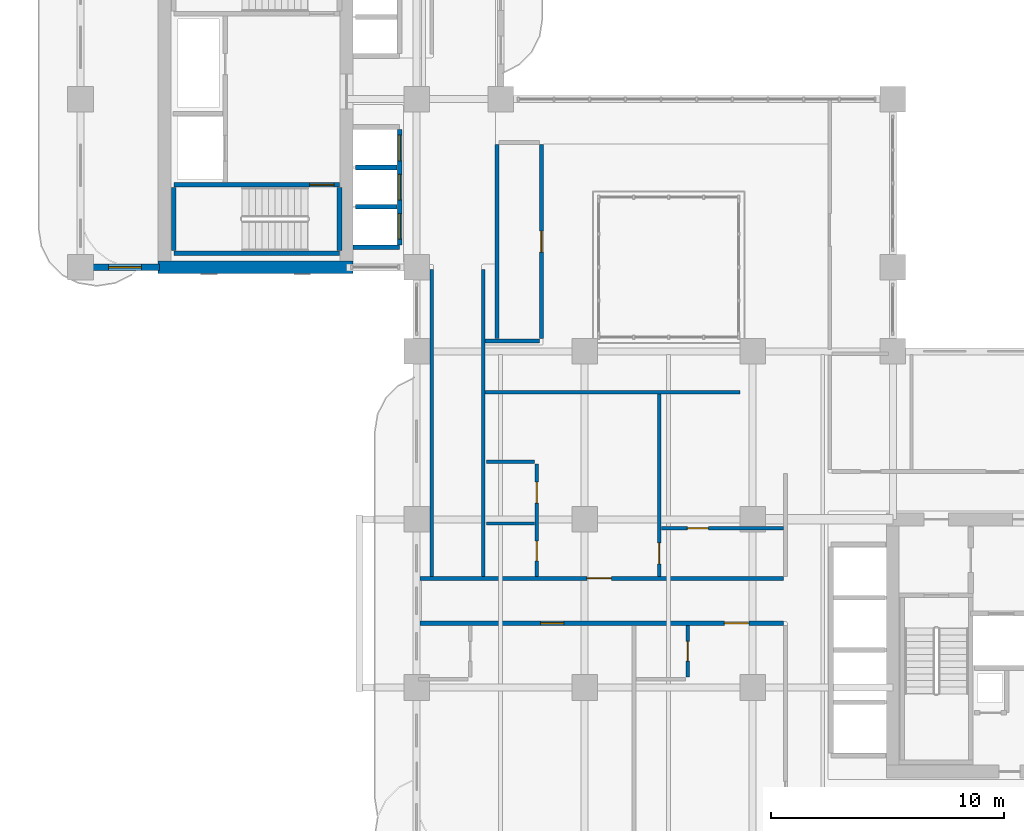
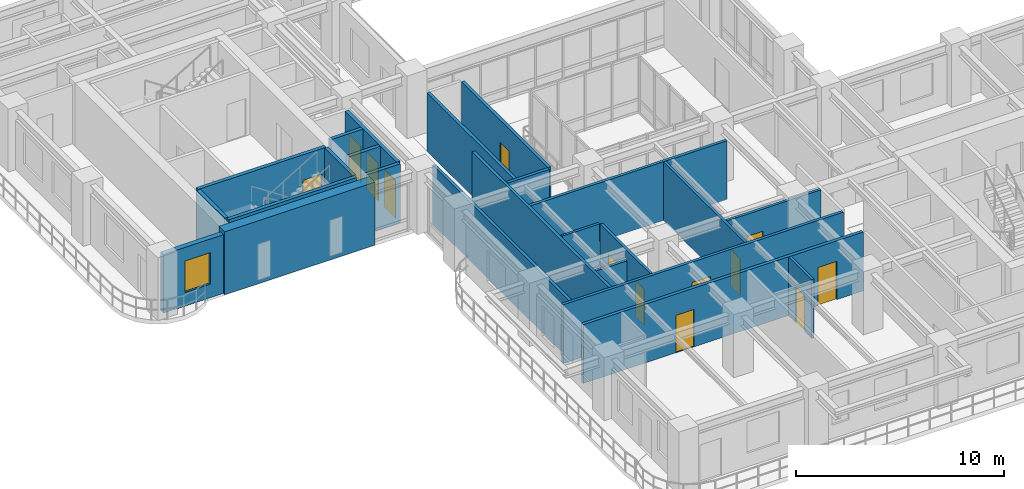
# One storey, part 12 of 22: 24 walls, 13 doors, 1 window, 14 openings.
"""IFC4 building model written with IfcOpenShell, lengths in metres."""

from ifc_helpers import new_model, si_unit, derived_unit, direction, frame, frame_2d, origin, place, context, subcontext, project, spatial, rectangle, extrude, source, transform, mapped, material, layer, layer_set, type_object, type_shapes, element, fill, save


model = new_model("IFC4")

# Units and contexts
model_context = context("Model", 3, precision=1e-05, world=origin(), true_north=direction((0.0, 1.0)))
body_context = subcontext(model_context, "Body", "Model", "MODEL_VIEW")
ifc_project = project(units=[si_unit("LENGTHUNIT", "METRE"), si_unit("AREAUNIT", "SQUARE_METRE"), si_unit("VOLUMEUNIT", "CUBIC_METRE"), si_unit("PLANEANGLEUNIT", "RADIAN"), si_unit("MASSUNIT", "GRAM", prefix="KILO"), si_unit("THERMODYNAMICTEMPERATUREUNIT", "KELVIN"), si_unit("POWERUNIT", "WATT"), derived_unit("THERMALTRANSMITTANCEUNIT", [(si_unit("POWERUNIT", "WATT"), 1), (si_unit("AREAUNIT", "SQUARE_METRE"), -1), (si_unit("THERMODYNAMICTEMPERATUREUNIT", "KELVIN"), -1)])], contexts=[model_context])

# Site, building, storey
site_placement = place(None, origin())
site = spatial("IfcSite", under=ifc_project, at=site_placement, CompositionType="ELEMENT")
building_placement = place(site_placement, origin())
building = spatial("IfcBuilding", under=site, at=building_placement, Name="Zahravan Archway Hotel and Residences", CompositionType="ELEMENT")
storey_placement = place(building_placement, frame((0.0, 0.0, 87.89990234375)))
storey = spatial("IfcBuildingStorey", under=building, at=storey_placement, Name="L21", CompositionType="ELEMENT", Elevation=87.89990234375)

# Wall
ifc_material_1 = material(Name="Concrete C70/85", Category="concrete")
ifc_layer_1 = layer(ifc_material_1, 0.550048828125, Name="Concrete C70/85", Category="concrete")
ifc_layer_set_1 = layer_set([ifc_layer_1], Name="Concrete C70/85")
wall_type_1 = type_object("IfcWallType", Name="CW-CORE-550", PredefinedType="SHEAR", material=ifc_layer_set_1)
wall_1_placement = place(storey_placement, frame((3.324951171875, 25.199951171875, 0.0), z_axis=(0.0, 0.0, 1.0), x_axis=(1.0, 0.0, 0.0)))
element("IfcWall", 1, at=wall_1_placement, inside=storey, type_object=wall_type_1, Name="L21 Core B Shear S Wall 550 mm", PredefinedType="SHEAR", context=body_context, shape_type="SweptSolid", body=[
    extrude(rectangle(XDim=8.35009765625, YDim=0.550048828125, at=frame_2d((4.175048828125, 0.0))), origin(), (0.0, 0.0, 1.0), 3.7001953125),
])

# Wall, opening, window
ifc_material_2 = material(Name="Honed Red-Ochre Sandstone & Insulated Block", Category="masonry")
ifc_layer_2 = layer(ifc_material_2, 0.280029296875, Name="Honed Red-Ochre Sandstone & Insulated Block", Category="masonry")
ifc_layer_set_2 = layer_set([ifc_layer_2], Name="Honed Red-Ochre Sandstone & Insulated Block")
wall_type_2 = type_object("IfcWallType", Name="EW-LOG-280", PredefinedType="SOLIDWALL", material=ifc_layer_set_2)
wall_2_placement = place(storey_placement, frame((0.0, 25.199951171875, 0.0), z_axis=(0.0, 0.0, 1.0), x_axis=(1.0, 0.0, 0.0)))
wall_2 = element("IfcWall", 2, at=wall_2_placement, inside=storey, type_object=wall_type_2, Name="L21 Exterior Sandstone Wall WB-SW", PredefinedType="SOLIDWALL", context=body_context, shape_type="SweptSolid", body=[
    extrude(rectangle(XDim=3.3798828125, YDim=0.280029296875, at=frame_2d((1.68994140625, 0.0))), origin(), (0.0, 0.0, 1.0), 3.4501953125),
])
opening_1_placement = place(wall_2_placement, frame((1.205078125, 0.0, 0.800048828125)))
opening_1 = element("IfcOpeningElement", 3, at=opening_1_placement, cuts=wall_2, Name="Opening W-03", PredefinedType="OPENING", context=body_context, shape_type="SweptSolid", body=[
    extrude(rectangle(XDim=1.39990234375, YDim=1.85009765625, at=frame_2d((0.699951171875, 0.925048828125))), frame((0.0, 0.14990234375, 0.0), z_axis=(0.0, -1.0, 0.0), x_axis=(1.0, 0.0, 0.0)), (0.0, 0.0, 1.0), 0.300048828125),
])
ifc_material_3 = material(Name="Bronze-Anodized Thermal-Break Aluminium & Low-E Glass", Category="aluminium")
window_type = type_object("IfcWindowType", Name="WIN-TWR-1400", PartitioningType="SINGLE_PANEL", PredefinedType="WINDOW", material=ifc_material_3)
shared_shape_1 = source(origin(), body_context, "Body", "SweptSolid", [
    extrude(rectangle(XDim=1.39990234375, YDim=1.85009765625, at=frame_2d((0.699951171875, 0.925048828125))), frame((0.0, 0.030029296875, 0.0), z_axis=(0.0, -1.0, 0.0), x_axis=(1.0, 0.0, 0.0)), (0.0, 0.0, 1.0), 0.06005859375),
])
type_shapes(window_type, [shared_shape_1])
window_placement = place(opening_1_placement, origin())
window = element("IfcWindow", 4, at=window_placement, inside=storey, type_object=window_type, Name="L21 Loggia Window 28", OverallHeight=1.85009765625, OverallWidth=1.39990234375, PartitioningType="SINGLE_PANEL", PredefinedType="WINDOW", context=body_context, shape_type="MappedRepresentation", body=[
    mapped(shared_shape_1, transform((0.0, 0.0, 0.0), scale=1.0)),
])
fill(opening_1, window)

# Wall, opening, door
ifc_material_4 = material(Name="Fire-Rated Gypsum & Concrete Block", Category="concrete")
ifc_layer_3 = layer(ifc_material_4, 0.159912109375, Name="Fire-Rated Gypsum & Concrete Block", Category="concrete")
ifc_layer_set_3 = layer_set([ifc_layer_3], Name="Fire-Rated Gypsum & Concrete Block")
wall_type_3 = type_object("IfcWallType", Name="PW-CORR-160", PredefinedType="PARTITIONING", material=ifc_layer_set_3)
wall_3_placement = place(storey_placement, frame((14.548095703125, 11.8701171875, 0.0), z_axis=(0.0, 0.0, 1.0), x_axis=(1.0, 0.0, 0.0)))
wall_3 = element("IfcWall", 5, at=wall_3_placement, inside=storey, type_object=wall_type_3, Name="L21 Partition WA-CN", PredefinedType="PARTITIONING", context=body_context, shape_type="SweptSolid", body=[
    extrude(rectangle(XDim=15.56201171875, YDim=0.159912109375, at=frame_2d((7.781005859375, 0.0))), origin(), (0.0, 0.0, 1.0), 3.4501953125),
])
opening_2_placement = place(wall_3_placement, frame((7.14208984375, 0.0, 0.0)))
opening_2 = element("IfcOpeningElement", 6, at=opening_2_placement, cuts=wall_3, Name="Opening D-U1", PredefinedType="OPENING", context=body_context, shape_type="SweptSolid", body=[
    extrude(rectangle(XDim=1.050048828125, YDim=2.25, at=frame_2d((0.52490234375, 1.125))), frame((0.0, 0.08984375, 0.0), z_axis=(0.0, -1.0, 0.0), x_axis=(1.0, 0.0, 0.0)), (0.0, 0.0, 1.0), 0.179931640625),
])
ifc_material_5 = material(Name="Hardwood Veneer Timber", Category="wood")
door_type_1 = type_object("IfcDoorType", Name="ID-UNIT-1050", OperationType="NOTDEFINED", PredefinedType="DOOR", material=ifc_material_5)
shared_shape_2 = source(origin(), body_context, "Body", "SweptSolid", [
    extrude(rectangle(XDim=1.050048828125, YDim=2.25, at=frame_2d((0.52490234375, 1.125))), frame((0.0, 0.02490234375, 0.0), z_axis=(0.0, -1.0, 0.0), x_axis=(1.0, 0.0, 0.0)), (0.0, 0.0, 1.0), 0.050048828125),
])
type_shapes(door_type_1, [shared_shape_2])
door_1_placement = place(opening_2_placement, origin())
door_1 = element("IfcDoor", 7, at=door_1_placement, inside=storey, type_object=door_type_1, Name="L21 Flat AT1 Entrance Door", OperationType="SINGLE_SWING_LEFT", OverallHeight=2.25, OverallWidth=1.050048828125, PredefinedType="DOOR", context=body_context, shape_type="MappedRepresentation", body=[
    mapped(shared_shape_2, transform((0.0, 0.0, 0.0), scale=1.0)),
])
fill(opening_2, door_1)

# Walls
for number, where, z_axis, x_axis, name in (
    (8, (15.050048828125, 11.9599609375, 0.0), (0.0, 0.0, 1.0), (0.0, 1.0, 0.0), "L21 Partition LNK-W"),
    (9, (17.25, 11.9599609375, 0.0), (0.0, 0.0, 1.0), (0.0, 1.0, 0.0), "L21 Partition LNK-E"),
):
    element("IfcWall", number, at=place(storey_placement, frame(where, z_axis=z_axis, x_axis=x_axis)), inside=storey, type_object=wall_type_3, Name=name, PredefinedType="PARTITIONING", context=body_context, shape_type="SweptSolid", body=[
        extrude(rectangle(XDim=13.150146484375, YDim=0.159912109375, at=frame_2d((6.5751953125, 0.0))), origin(), (0.0, 0.0, 1.0), 3.4501953125),
    ])
wall_4_placement = place(storey_placement, frame((17.340087890625, 19.85009765625, 0.0), z_axis=(0.0, 0.0, 1.0), x_axis=(1.0, 0.0, 0.0)))
element("IfcWall", 10, at=wall_4_placement, inside=storey, type_object=wall_type_3, Name="L21 Partition ATR-S", PredefinedType="PARTITIONING", context=body_context, shape_type="SweptSolid", body=[
    extrude(rectangle(XDim=10.919921875, YDim=0.159912109375, at=frame_2d((5.4599609375, 0.0))), origin(), (0.0, 0.0, 1.0), 3.4501953125),
])

# Wall, openings, doors
ifc_layer_4 = layer(ifc_material_4, 0.179931640625, Name="Fire-Rated Gypsum & Concrete Block", Category="concrete")
ifc_layer_set_4 = layer_set([ifc_layer_4], Name="Fire-Rated Gypsum & Concrete Block")
wall_type_4 = type_object("IfcWallType", Name="PW-CORR-180", PredefinedType="PARTITIONING", material=ifc_layer_set_4)
wall_5_placement = place(storey_placement, frame((14.548095703125, 9.949951171875, 0.0), z_axis=(0.0, 0.0, 1.0), x_axis=(1.0, 0.0, 0.0)))
wall_5 = element("IfcWall", 11, at=wall_5_placement, inside=storey, type_object=wall_type_4, Name="L21 Partition WA-CS", PredefinedType="PARTITIONING", context=body_context, shape_type="SweptSolid", body=[
    extrude(rectangle(XDim=15.56201171875, YDim=0.179931640625, at=frame_2d((7.781005859375, 0.0))), origin(), (0.0, 0.0, 1.0), 3.4501953125),
])
opening_3_placement = place(wall_5_placement, frame((5.162109375, 0.0, 0.0)))
opening_3 = element("IfcOpeningElement", 12, at=opening_3_placement, cuts=wall_5, Name="Opening D-U2", PredefinedType="OPENING", context=body_context, shape_type="SweptSolid", body=[
    extrude(rectangle(XDim=1.0, YDim=2.199951171875, at=frame_2d((0.5, 1.10009765625))), frame((0.0, 0.10009765625, 0.0), z_axis=(0.0, -1.0, 0.0), x_axis=(1.0, 0.0, 0.0)), (0.0, 0.0, 1.0), 0.199951171875),
])
opening_4_placement = place(wall_5_placement, frame((13.037109375, 0.0, 0.0)))
opening_4 = element("IfcOpeningElement", 13, at=opening_4_placement, cuts=wall_5, Name="Opening D-U1", PredefinedType="OPENING", context=body_context, shape_type="SweptSolid", body=[
    extrude(rectangle(XDim=1.050048828125, YDim=2.25, at=frame_2d((0.52490234375, 1.125))), frame((0.0, 0.10009765625, 0.0), z_axis=(0.0, -1.0, 0.0), x_axis=(1.0, 0.0, 0.0)), (0.0, 0.0, 1.0), 0.199951171875),
])
door_2_placement = place(opening_4_placement, origin())
door_2 = element("IfcDoor", 14, at=door_2_placement, inside=storey, type_object=door_type_1, Name="L21 Hotel Guestroom 12 Entrance Door", OperationType="SINGLE_SWING_RIGHT", OverallHeight=2.25, OverallWidth=1.050048828125, PredefinedType="DOOR", context=body_context, shape_type="MappedRepresentation", body=[
    mapped(shared_shape_2, transform((0.0, 0.0, 0.0), scale=1.0)),
])
fill(opening_4, door_2)
door_type_2 = type_object("IfcDoorType", Name="ID-UNIT-1000", OperationType="NOTDEFINED", PredefinedType="DOOR", material=ifc_material_5)
shared_shape_3 = source(origin(), body_context, "Body", "SweptSolid", [
    extrude(rectangle(XDim=1.0, YDim=2.199951171875, at=frame_2d((0.5, 1.10009765625))), frame((0.0, 0.02490234375, 0.0), z_axis=(0.0, -1.0, 0.0), x_axis=(1.0, 0.0, 0.0)), (0.0, 0.0, 1.0), 0.050048828125),
])
type_shapes(door_type_2, [shared_shape_3])
door_3_placement = place(opening_3_placement, origin())
door_3 = element("IfcDoor", 15, at=door_3_placement, inside=storey, type_object=door_type_2, Name="L21 Hotel Guestroom 11 Entrance Door", OperationType="SINGLE_SWING_RIGHT", OverallHeight=2.199951171875, OverallWidth=1.0, PredefinedType="DOOR", context=body_context, shape_type="MappedRepresentation", body=[
    mapped(shared_shape_3, transform((0.0, 0.0, 0.0), scale=1.0)),
])
fill(opening_3, door_3)

# Wall
ifc_layer_5 = layer(ifc_material_4, 0.199951171875, Name="Fire-Rated Gypsum & Concrete Block", Category="concrete")
ifc_layer_set_5 = layer_set([ifc_layer_5], Name="Fire-Rated Gypsum & Concrete Block")
wall_type_5 = type_object("IfcWallType", Name="PW-SHAFT-200", PredefinedType="PARTITIONING", material=ifc_layer_set_5)
wall_6_placement = place(storey_placement, frame((11.68505859375, 26.050048828125, 0.0), z_axis=(0.0, 0.0, 1.0), x_axis=(1.0, 0.0, 0.0)))
element("IfcWall", 16, at=wall_6_placement, inside=storey, type_object=wall_type_5, Name="L21 Partition B1-S", PredefinedType="PARTITIONING", context=body_context, shape_type="SweptSolid", body=[
    extrude(rectangle(XDim=1.98486328125, YDim=0.199951171875, at=frame_2d((0.992431640625, 0.0))), origin(), (0.0, 0.0, 1.0), 3.4501953125),
])

# Wall, openings, doors
wall_7_placement = place(storey_placement, frame((13.679931640625, 26.159912109375, 0.0), z_axis=(0.0, 0.0, 1.0), x_axis=(0.0, 1.0, 0.0)))
wall_7 = element("IfcWall", 17, at=wall_7_placement, inside=storey, type_object=wall_type_5, Name="L21 Partition B1-E", PredefinedType="PARTITIONING", context=body_context, shape_type="SweptSolid", body=[
    extrude(rectangle(XDim=4.940185546875, YDim=0.199951171875, at=frame_2d((2.47021484375, 0.0))), origin(), (0.0, 0.0, 1.0), 3.4501953125),
])
opening_5_placement = place(wall_7_placement, frame((0.239990234375, 0.0, 0.0)))
opening_5 = element("IfcOpeningElement", 18, at=opening_5_placement, cuts=wall_7, Name="Opening LD", PredefinedType="OPENING", context=body_context, shape_type="SweptSolid", body=[
    extrude(rectangle(XDim=1.10009765625, YDim=2.199951171875, at=frame_2d((0.550048828125, 1.10009765625))), frame((0.0, 0.10986328125, 0.0), z_axis=(0.0, -1.0, 0.0), x_axis=(1.0, 0.0, 0.0)), (0.0, 0.0, 1.0), 0.219970703125),
])
opening_6_placement = place(wall_7_placement, frame((1.919921875, 0.0, 0.0)))
opening_6 = element("IfcOpeningElement", 19, at=opening_6_placement, cuts=wall_7, Name="Opening LD", PredefinedType="OPENING", context=body_context, shape_type="SweptSolid", body=[
    extrude(rectangle(XDim=1.10009765625, YDim=2.199951171875, at=frame_2d((0.550048828125, 1.10009765625))), frame((0.0, 0.10986328125, 0.0), z_axis=(0.0, -1.0, 0.0), x_axis=(1.0, 0.0, 0.0)), (0.0, 0.0, 1.0), 0.219970703125),
])
opening_7_placement = place(wall_7_placement, frame((3.60009765625, 0.0, 0.0)))
opening_7 = element("IfcOpeningElement", 20, at=opening_7_placement, cuts=wall_7, Name="Opening LD", PredefinedType="OPENING", context=body_context, shape_type="SweptSolid", body=[
    extrude(rectangle(XDim=1.10009765625, YDim=2.199951171875, at=frame_2d((0.550048828125, 1.10009765625))), frame((0.0, 0.10986328125, 0.0), z_axis=(0.0, -1.0, 0.0), x_axis=(1.0, 0.0, 0.0)), (0.0, 0.0, 1.0), 0.219970703125),
])
ifc_material_6 = material(Name="Brushed Stainless Steel", Category="steel")
door_type_3 = type_object("IfcDoorType", Name="DR-LIFT-LD", OperationType="SLIDING_TO_LEFT", PredefinedType="DOOR", material=ifc_material_6)
shared_shape_4 = source(origin(), body_context, "Body", "SweptSolid", [
    extrude(rectangle(XDim=1.10009765625, YDim=2.199951171875, at=frame_2d((0.550048828125, 1.10009765625))), frame((0.0, 0.02490234375, 0.0), z_axis=(0.0, -1.0, 0.0), x_axis=(1.0, 0.0, 0.0)), (0.0, 0.0, 1.0), 0.050048828125),
])
type_shapes(door_type_3, [shared_shape_4])
door_4_placement = place(opening_5_placement, origin())
door_4 = element("IfcDoor", 21, at=door_4_placement, inside=storey, type_object=door_type_3, Name="L21 Lift LP-1 Sliding Landing Door", OperationType="SLIDING_TO_LEFT", OverallHeight=2.199951171875, OverallWidth=1.10009765625, PredefinedType="DOOR", context=body_context, shape_type="MappedRepresentation", body=[
    mapped(shared_shape_4, transform((0.0, 0.0, 0.0), scale=1.0)),
])
fill(opening_5, door_4)
door_5_placement = place(opening_6_placement, origin())
door_5 = element("IfcDoor", 22, at=door_5_placement, inside=storey, type_object=door_type_3, Name="L21 Lift LP-2 Sliding Landing Door", OperationType="SLIDING_TO_LEFT", OverallHeight=2.199951171875, OverallWidth=1.10009765625, PredefinedType="DOOR", context=body_context, shape_type="MappedRepresentation", body=[
    mapped(shared_shape_4, transform((0.0, 0.0, 0.0), scale=1.0)),
])
fill(opening_6, door_5)
door_6_placement = place(opening_7_placement, origin())
door_6 = element("IfcDoor", 23, at=door_6_placement, inside=storey, type_object=door_type_3, Name="L21 Lift LP-3 Sliding Landing Door", OperationType="SLIDING_TO_LEFT", OverallHeight=2.199951171875, OverallWidth=1.10009765625, PredefinedType="DOOR", context=body_context, shape_type="MappedRepresentation", body=[
    mapped(shared_shape_4, transform((0.0, 0.0, 0.0), scale=1.0)),
])
fill(opening_7, door_6)

# Walls
for number, where, z_axis, x_axis, name in (
    (24, (11.784912109375, 27.7900390625, 0.0), (0.0, 0.0, 1.0), (1.0, 0.0, 0.0), "L21 Partition B1-D"),
    (25, (11.784912109375, 29.469970703125, 0.0), (0.0, 0.0, 1.0), (1.0, 0.0, 0.0), "L21 Partition B1-D"),
):
    element("IfcWall", number, at=place(storey_placement, frame(where, z_axis=z_axis, x_axis=x_axis)), inside=storey, type_object=wall_type_5, Name=name, PredefinedType="PARTITIONING", context=body_context, shape_type="SweptSolid", body=[
        extrude(rectangle(XDim=1.78515625, YDim=0.199951171875, at=frame_2d((0.892578125, 0.0))), origin(), (0.0, 0.0, 1.0), 3.4501953125),
    ])

# Wall, opening, door
ifc_material_7 = material(Name="Acoustic Stud Partition")
ifc_layer_6 = layer(ifc_material_7, 0.14990234375, Name="Acoustic Stud Partition")
ifc_layer_set_6 = layer_set([ifc_layer_6], Name="Acoustic Stud Partition")
wall_type_6 = type_object("IfcWallType", Name="PW-UNIT-150", PredefinedType="PARTITIONING", material=ifc_layer_set_6)
wall_8_placement = place(storey_placement, frame((24.800048828125, 11.9599609375, 0.0), z_axis=(0.0, 0.0, 1.0), x_axis=(0.0, 1.0, 0.0)))
wall_8 = element("IfcWall", 26, at=wall_8_placement, inside=storey, type_object=wall_type_6, Name="L21 Partition FL-AT1-SP", PredefinedType="PARTITIONING", context=body_context, shape_type="SweptSolid", body=[
    extrude(rectangle(XDim=7.800048828125, YDim=0.14990234375, at=frame_2d((3.89990234375, 0.0))), origin(), (0.0, 0.0, 1.0), 3.4501953125),
])
opening_8_placement = place(wall_8_placement, frame((0.534912109375, 0.0, 0.0)))
opening_8 = element("IfcOpeningElement", 27, at=opening_8_placement, cuts=wall_8, Name="Opening D-I2", PredefinedType="OPENING", context=body_context, shape_type="SweptSolid", body=[
    extrude(rectangle(XDim=0.89990234375, YDim=2.14990234375, at=frame_2d((0.449951171875, 1.074951171875))), frame((0.0, 0.0849609375, 0.0), z_axis=(0.0, -1.0, 0.0), x_axis=(1.0, 0.0, 0.0)), (0.0, 0.0, 1.0), 0.169921875),
])
door_type_4 = type_object("IfcDoorType", Name="ID-INT-900", OperationType="NOTDEFINED", PredefinedType="DOOR", material=ifc_material_5)
shared_shape_5 = source(origin(), body_context, "Body", "SweptSolid", [
    extrude(rectangle(XDim=0.89990234375, YDim=2.14990234375, at=frame_2d((0.449951171875, 1.074951171875))), frame((0.0, 0.02490234375, 0.0), z_axis=(0.0, -1.0, 0.0), x_axis=(1.0, 0.0, 0.0)), (0.0, 0.0, 1.0), 0.050048828125),
])
type_shapes(door_type_4, [shared_shape_5])
door_7_placement = place(opening_8_placement, origin())
door_7 = element("IfcDoor", 28, at=door_7_placement, inside=storey, type_object=door_type_4, Name="L21 Flat AT1 Bedroom Hall Door", OperationType="SINGLE_SWING_RIGHT", OverallHeight=2.14990234375, OverallWidth=0.89990234375, PredefinedType="DOOR", context=body_context, shape_type="MappedRepresentation", body=[
    mapped(shared_shape_5, transform((0.0, 0.0, 0.0), scale=1.0)),
])
fill(opening_8, door_7)

wall_9_placement = place(storey_placement, frame((24.889892578125, 14.02001953125, 0.0), z_axis=(0.0, 0.0, 1.0), x_axis=(1.0, 0.0, 0.0)))
wall_9 = element("IfcWall", 29, at=wall_9_placement, inside=storey, type_object=wall_type_6, Name="L21 Partition FL-AT1-GH", PredefinedType="PARTITIONING", context=body_context, shape_type="SweptSolid", body=[
    extrude(rectangle(XDim=5.22021484375, YDim=0.14990234375, at=frame_2d((2.610107421875, 0.0))), origin(), (0.0, 0.0, 1.0), 3.4501953125),
])
opening_9_placement = place(wall_9_placement, frame((1.110107421875, 0.0, 0.0)))
opening_9 = element("IfcOpeningElement", 30, at=opening_9_placement, cuts=wall_9, Name="Opening D-I2", PredefinedType="OPENING", context=body_context, shape_type="SweptSolid", body=[
    extrude(rectangle(XDim=0.89990234375, YDim=2.14990234375, at=frame_2d((0.449951171875, 1.074951171875))), frame((0.0, 0.0849609375, 0.0), z_axis=(0.0, -1.0, 0.0), x_axis=(1.0, 0.0, 0.0)), (0.0, 0.0, 1.0), 0.169921875),
])
door_8_placement = place(opening_9_placement, origin())
door_8 = element("IfcDoor", 31, at=door_8_placement, inside=storey, type_object=door_type_4, Name="L21 Flat AT1 Bedroom 1 Door", OperationType="SINGLE_SWING_LEFT", OverallHeight=2.14990234375, OverallWidth=0.89990234375, PredefinedType="DOOR", context=body_context, shape_type="MappedRepresentation", body=[
    mapped(shared_shape_5, transform((0.0, 0.0, 0.0), scale=1.0)),
])
fill(opening_9, door_8)

# Walls
ifc_layer_7 = layer(ifc_material_7, 0.169921875, Name="Acoustic Stud Partition")
ifc_layer_set_7 = layer_set([ifc_layer_7], Name="Acoustic Stud Partition")
wall_type_7 = type_object("IfcWallType", Name="PW-UNIT-170", PredefinedType="PARTITIONING", material=ifc_layer_set_7)
wall_10_placement = place(storey_placement, frame((17.340087890625, 22.050048828125, 0.0), z_axis=(0.0, 0.0, 1.0), x_axis=(1.0, 0.0, 0.0)))
element("IfcWall", 32, at=wall_10_placement, inside=storey, type_object=wall_type_7, Name="L21 Partition ATR-WLS", PredefinedType="PARTITIONING", context=body_context, shape_type="SweptSolid", body=[
    extrude(rectangle(XDim=2.31982421875, YDim=0.169921875, at=frame_2d((1.159912109375, 0.0))), origin(), (0.0, 0.0, 1.0), 3.4501953125),
])
wall_11_placement = place(storey_placement, frame((17.85009765625, 22.139892578125, 0.0), z_axis=(0.0, 0.0, 1.0), x_axis=(0.0, 1.0, 0.0)))
element("IfcWall", 33, at=wall_11_placement, inside=storey, type_object=wall_type_7, Name="L21 Partition ATR-WLW", PredefinedType="PARTITIONING", context=body_context, shape_type="SweptSolid", body=[
    extrude(rectangle(XDim=8.320068359375, YDim=0.169921875, at=frame_2d((4.16015625, 0.0))), origin(), (0.0, 0.0, 1.0), 3.4501953125),
])

# Wall, opening, door
wall_12_placement = place(storey_placement, frame((19.75, 22.139892578125, 0.0), z_axis=(0.0, 0.0, 1.0), x_axis=(0.0, 1.0, 0.0)))
wall_12 = element("IfcWall", 34, at=wall_12_placement, inside=storey, type_object=wall_type_7, Name="L21 Partition ATR-WL", PredefinedType="PARTITIONING", context=body_context, shape_type="SweptSolid", body=[
    extrude(rectangle(XDim=8.320068359375, YDim=0.169921875, at=frame_2d((4.16015625, 0.0))), origin(), (0.0, 0.0, 1.0), 3.4501953125),
])
opening_10_placement = place(wall_12_placement, frame((3.7099609375, 0.0, 0.0)))
opening_10 = element("IfcOpeningElement", 35, at=opening_10_placement, cuts=wall_12, Name="Opening D-I2", PredefinedType="OPENING", context=body_context, shape_type="SweptSolid", body=[
    extrude(rectangle(XDim=0.89990234375, YDim=2.14990234375, at=frame_2d((0.449951171875, 1.074951171875))), frame((0.0, 0.094970703125, 0.0), z_axis=(0.0, -1.0, 0.0), x_axis=(1.0, 0.0, 0.0)), (0.0, 0.0, 1.0), 0.18994140625),
])
door_9_placement = place(opening_10_placement, origin())
door_9 = element("IfcDoor", 36, at=door_9_placement, inside=storey, type_object=door_type_4, Name="L21 Atrium West Alcove Door", OperationType="SINGLE_SWING_RIGHT", OverallHeight=2.14990234375, OverallWidth=0.89990234375, PredefinedType="DOOR", context=body_context, shape_type="MappedRepresentation", body=[
    mapped(shared_shape_5, transform((0.0, 0.0, 0.0), scale=1.0)),
])
fill(opening_10, door_9)

ifc_material_8 = material(Name="Moisture-Resistant Blockwork", Category="masonry")
ifc_layer_8 = layer(ifc_material_8, 0.139892578125, Name="Moisture-Resistant Blockwork", Category="masonry")
ifc_layer_set_8 = layer_set([ifc_layer_8], Name="Moisture-Resistant Blockwork")
wall_type_8 = type_object("IfcWallType", Name="PW-WET-140", PredefinedType="PARTITIONING", material=ifc_layer_set_8)
wall_13_placement = place(storey_placement, frame((26.02001953125, 7.639892578125, 0.0), z_axis=(0.0, 0.0, 1.0), x_axis=(0.0, 1.0, 0.0)))
wall_13 = element("IfcWall", 37, at=wall_13_placement, inside=storey, type_object=wall_type_8, Name="L21 Partition HKB-V12", PredefinedType="PARTITIONING", context=body_context, shape_type="SweptSolid", body=[
    extrude(rectangle(XDim=2.22021484375, YDim=0.139892578125, at=frame_2d((1.110107421875, 0.0))), origin(), (0.0, 0.0, 1.0), 3.4501953125),
])
opening_11_placement = place(wall_13_placement, frame((0.68505859375, 0.0, 0.0)))
opening_11 = element("IfcOpeningElement", 38, at=opening_11_placement, cuts=wall_13, Name="Opening D-B1", PredefinedType="OPENING", context=body_context, shape_type="SweptSolid", body=[
    extrude(rectangle(XDim=0.85009765625, YDim=2.10009765625, at=frame_2d((0.425048828125, 1.050048828125))), frame((0.0, 0.080078125, 0.0), z_axis=(0.0, -1.0, 0.0), x_axis=(1.0, 0.0, 0.0)), (0.0, 0.0, 1.0), 0.159912109375),
])
door_type_5 = type_object("IfcDoorType", Name="ID-BATH-850", OperationType="NOTDEFINED", PredefinedType="DOOR", material=ifc_material_5)
shared_shape_6 = source(origin(), body_context, "Body", "SweptSolid", [
    extrude(rectangle(XDim=0.85009765625, YDim=2.10009765625, at=frame_2d((0.425048828125, 1.050048828125))), frame((0.0, 0.02490234375, 0.0), z_axis=(0.0, -1.0, 0.0), x_axis=(1.0, 0.0, 0.0)), (0.0, 0.0, 1.0), 0.050048828125),
])
type_shapes(door_type_5, [shared_shape_6])
door_10_placement = place(opening_11_placement, origin())
door_10 = element("IfcDoor", 39, at=door_10_placement, inside=storey, type_object=door_type_5, Name="L21 Guestroom 12 En-Suite Door", OperationType="SINGLE_SWING_LEFT", OverallHeight=2.10009765625, OverallWidth=0.85009765625, PredefinedType="DOOR", context=body_context, shape_type="MappedRepresentation", body=[
    mapped(shared_shape_6, transform((0.0, 0.0, 0.0), scale=1.0)),
])
fill(opening_11, door_10)

# Wall, openings, doors
wall_14_placement = place(storey_placement, frame((19.550048828125, 11.9599609375, 0.0), z_axis=(0.0, 0.0, 1.0), x_axis=(0.0, 1.0, 0.0)))
wall_14 = element("IfcWall", 40, at=wall_14_placement, inside=storey, type_object=wall_type_8, Name="L21 Partition FL-AT1-BV", PredefinedType="PARTITIONING", context=body_context, shape_type="SweptSolid", body=[
    extrude(rectangle(XDim=4.820068359375, YDim=0.139892578125, at=frame_2d((2.41015625, 0.0))), origin(), (0.0, 0.0, 1.0), 3.4501953125),
])
opening_12_placement = place(wall_14_placement, frame((0.659912109375, 0.0, 0.0)))
opening_12 = element("IfcOpeningElement", 41, at=opening_12_placement, cuts=wall_14, Name="Opening D-B1", PredefinedType="OPENING", context=body_context, shape_type="SweptSolid", body=[
    extrude(rectangle(XDim=0.85009765625, YDim=2.10009765625, at=frame_2d((0.425048828125, 1.050048828125))), frame((0.0, 0.080078125, 0.0), z_axis=(0.0, -1.0, 0.0), x_axis=(1.0, 0.0, 0.0)), (0.0, 0.0, 1.0), 0.159912109375),
])
opening_13_placement = place(wall_14_placement, frame((3.135009765625, 0.0, 0.0)))
opening_13 = element("IfcOpeningElement", 42, at=opening_13_placement, cuts=wall_14, Name="Opening D-I2", PredefinedType="OPENING", context=body_context, shape_type="SweptSolid", body=[
    extrude(rectangle(XDim=0.89990234375, YDim=2.14990234375, at=frame_2d((0.449951171875, 1.074951171875))), frame((0.0, 0.080078125, 0.0), z_axis=(0.0, -1.0, 0.0), x_axis=(1.0, 0.0, 0.0)), (0.0, 0.0, 1.0), 0.159912109375),
])
door_11_placement = place(opening_12_placement, origin())
door_11 = element("IfcDoor", 43, at=door_11_placement, inside=storey, type_object=door_type_5, Name="L21 Flat AT1 Bathroom Door", OperationType="SINGLE_SWING_LEFT", OverallHeight=2.10009765625, OverallWidth=0.85009765625, PredefinedType="DOOR", context=body_context, shape_type="MappedRepresentation", body=[
    mapped(shared_shape_6, transform((0.0, 0.0, 0.0), scale=1.0)),
])
fill(opening_12, door_11)
door_12_placement = place(opening_13_placement, origin())
door_12 = element("IfcDoor", 44, at=door_12_placement, inside=storey, type_object=door_type_4, Name="L21 Flat AT1 Kitchen Door", OperationType="SINGLE_SWING_RIGHT", OverallHeight=2.14990234375, OverallWidth=0.89990234375, PredefinedType="DOOR", context=body_context, shape_type="MappedRepresentation", body=[
    mapped(shared_shape_5, transform((0.0, 0.0, 0.0), scale=1.0)),
])
fill(opening_13, door_12)

# Walls
wall_15_placement = place(storey_placement, frame((17.389892578125, 14.219970703125, 0.0), z_axis=(0.0, 0.0, 1.0), x_axis=(1.0, 0.0, 0.0)))
element("IfcWall", 45, at=wall_15_placement, inside=storey, type_object=wall_type_8, Name="L21 Partition FL-AT1-BM", PredefinedType="PARTITIONING", context=body_context, shape_type="SweptSolid", body=[
    extrude(rectangle(XDim=2.070068359375, YDim=0.139892578125, at=frame_2d((1.03515625, 0.0))), origin(), (0.0, 0.0, 1.0), 2.885009765625),
])
wall_16_placement = place(storey_placement, frame((17.389892578125, 16.8701171875, 0.0), z_axis=(0.0, 0.0, 1.0), x_axis=(1.0, 0.0, 0.0)))
element("IfcWall", 46, at=wall_16_placement, inside=storey, type_object=wall_type_8, Name="L21 Partition FL-AT1-KH", PredefinedType="PARTITIONING", context=body_context, shape_type="SweptSolid", body=[
    extrude(rectangle(XDim=2.070068359375, YDim=0.139892578125, at=frame_2d((1.03515625, 0.0))), origin(), (0.0, 0.0, 1.0), 3.4501953125),
])
ifc_material_9 = material(Name="Concrete C50/60", Category="concrete")
ifc_layer_9 = layer(ifc_material_9, 0.199951171875, Name="Concrete C50/60", Category="concrete")
ifc_layer_set_9 = layer_set([ifc_layer_9], Name="Concrete C50/60")
wall_type_9 = type_object("IfcWallType", Name="SW-STAIR-200", PredefinedType="SHEAR", material=ifc_layer_set_9)
wall_17_placement = place(storey_placement, frame((4.0, 25.800048828125, 0.0), z_axis=(0.0, 0.0, 1.0), x_axis=(1.0, 0.0, 0.0)))
element("IfcWall", 47, at=wall_17_placement, inside=storey, type_object=wall_type_9, Name="L21 Stairwell RC Wall CB-SB1S", PredefinedType="SHEAR", context=body_context, shape_type="SweptSolid", body=[
    extrude(rectangle(XDim=7.10009765625, YDim=0.199951171875, at=frame_2d((3.550048828125, 0.0))), origin(), (0.0, 0.0, 1.0), 3.7001953125),
])
for number, where, z_axis, x_axis, name in (
    (48, (4.0, 25.919921875, 0.0), (0.0, 0.0, 1.0), (0.0, 1.0, 0.0), "L21 Stairwell RC Wall CB-SB1W"),
    (49, (11.10009765625, 25.919921875, 0.0), (0.0, 0.0, 1.0), (0.0, 1.0, 0.0), "L21 Stairwell RC Wall CB-SB1E"),
):
    element("IfcWall", number, at=place(storey_placement, frame(where, z_axis=z_axis, x_axis=x_axis)), inside=storey, type_object=wall_type_9, Name=name, PredefinedType="SHEAR", context=body_context, shape_type="SweptSolid", body=[
        extrude(rectangle(XDim=2.7001953125, YDim=0.199951171875, at=frame_2d((1.35009765625, 0.0))), origin(), (0.0, 0.0, 1.0), 3.7001953125),
    ])

# Wall, opening, door
wall_18_placement = place(storey_placement, frame((4.0, 28.739990234375, 0.0), z_axis=(0.0, 0.0, 1.0), x_axis=(1.0, 0.0, 0.0)))
wall_18 = element("IfcWall", 50, at=wall_18_placement, inside=storey, type_object=wall_type_9, Name="L21 Stairwell RC Wall CB-SB1N", PredefinedType="SHEAR", context=body_context, shape_type="SweptSolid", body=[
    extrude(rectangle(XDim=7.10009765625, YDim=0.199951171875, at=frame_2d((3.550048828125, 0.0))), origin(), (0.0, 0.0, 1.0), 3.7001953125),
])
opening_14_placement = place(wall_18_placement, frame((5.81494140625, 0.0, 0.0)))
opening_14 = element("IfcOpeningElement", 51, at=opening_14_placement, cuts=wall_18, Name="Opening FD-S1", PredefinedType="OPENING", context=body_context, shape_type="SweptSolid", body=[
    extrude(rectangle(XDim=1.050048828125, YDim=2.199951171875, at=frame_2d((0.52490234375, 1.10009765625))), frame((0.0, 0.10986328125, 0.0), z_axis=(0.0, -1.0, 0.0), x_axis=(1.0, 0.0, 0.0)), (0.0, 0.0, 1.0), 0.219970703125),
])
ifc_material_10 = material(Name="Fire-Rated Painted Steel", Category="steel")
door_type_6 = type_object("IfcDoorType", Name="FD-STAIR-1100", OperationType="NOTDEFINED", PredefinedType="DOOR", material=ifc_material_10)
shared_shape_7 = source(origin(), body_context, "Body", "SweptSolid", [
    extrude(rectangle(XDim=1.050048828125, YDim=2.199951171875, at=frame_2d((0.52490234375, 1.10009765625))), frame((0.0, 0.02490234375, 0.0), z_axis=(0.0, -1.0, 0.0), x_axis=(1.0, 0.0, 0.0)), (0.0, 0.0, 1.0), 0.050048828125),
])
type_shapes(door_type_6, [shared_shape_7])
door_13_placement = place(opening_14_placement, origin())
door_13 = element("IfcDoor", 52, at=door_13_placement, inside=storey, type_object=door_type_6, Name="L21 Stair ST-B1 Door", OperationType="SINGLE_SWING_RIGHT", OverallHeight=2.199951171875, OverallWidth=1.050048828125, PredefinedType="DOOR", context=body_context, shape_type="MappedRepresentation", body=[
    mapped(shared_shape_7, transform((0.0, 0.0, 0.0), scale=1.0)),
])
fill(opening_14, door_13)

save(model, "model.ifc")
